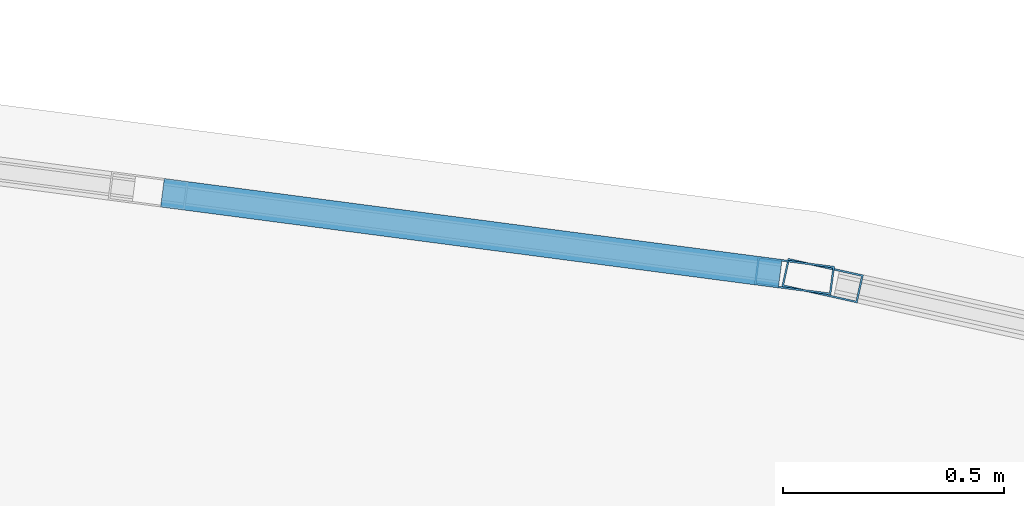
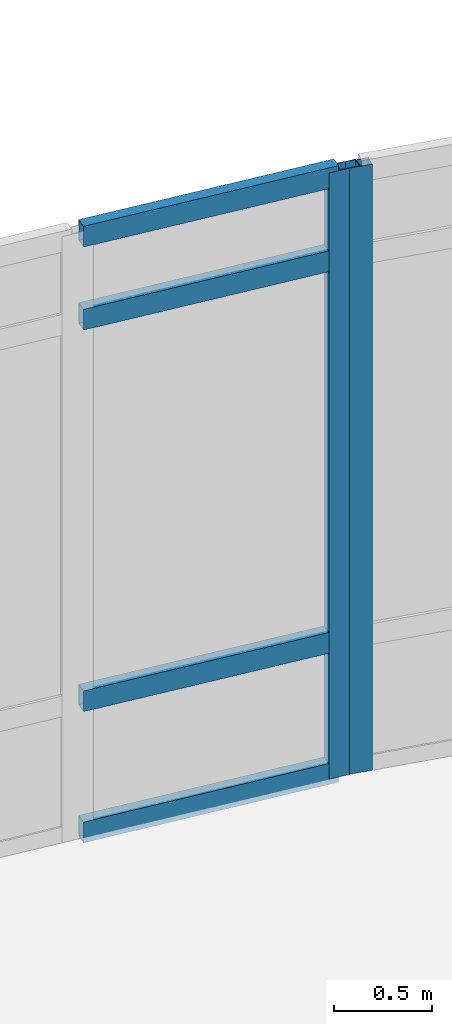
# One storey, part 57 of 146: 6 members, 2 elements without a shape of their own.
"""IFC4 building model written with IfcOpenShell, lengths in metres."""

from ifc_helpers import new_model, si_unit, direction, frame, origin, origin_2d, place, context, subcontext, project, spatial, hollow_rectangle, extrude, material, layer, layer_set, material_profile, profile_set, type_object, element, aggregate, save


model = new_model("IFC4")

# Units and contexts
model_context = context("Model", 3, precision=1e-05, world=origin(), true_north=direction((0.0, 1.0)))
body_context = subcontext(model_context, "Body", "Model", "MODEL_VIEW")
ifc_project = project(units=[si_unit("LENGTHUNIT", "METRE"), si_unit("AREAUNIT", "SQUARE_METRE"), si_unit("VOLUMEUNIT", "CUBIC_METRE"), si_unit("PLANEANGLEUNIT", "RADIAN"), si_unit("MASSUNIT", "GRAM", prefix="KILO")], contexts=[model_context])

# Site, building, storey
site_placement = place(None, origin())
site = spatial("IfcSite", under=ifc_project, at=site_placement, CompositionType="ELEMENT")
building_placement = place(site_placement, origin())
building = spatial("IfcBuilding", under=site, at=building_placement, Name="Valcora Specialist Clinic", CompositionType="ELEMENT")
storey_placement = place(building_placement, frame((0.0, 0.0, 9.52001953125)))
storey = spatial("IfcBuildingStorey", under=building, at=storey_placement, Name="L02", CompositionType="ELEMENT", Elevation=9.52001953125)

# Curtain wall, member
ifc_material = material(Name="Anodized Bronze Aluminium 6063-T6", Category="aluminium")
ifc_layer = layer(ifc_material, 0.175048828125)
ifc_layer_set = layer_set([ifc_layer], Name="Anodized Bronze Aluminium 6063-T6")
curtain_wall_type = type_object("IfcCurtainWallType", Name="TY-CW-ARC40", PredefinedType="NOTDEFINED", material=ifc_layer_set)
curtain_wall_1_placement = place(storey_placement, origin())
curtain_wall_1 = element("IfcCurtainWall", 1, at=curtain_wall_1_placement, inside=storey, type_object=curtain_wall_type, Name="Curtain wall CW-L02-207", PredefinedType="NOTDEFINED")
ifc_material_profile_1 = material_profile(ifc_material, hollow_rectangle(XDim=0.06494140625, YDim=0.175048828125, WallThickness=0.00390625, at=origin_2d()), Name="AL-MUL-65X175")
ifc_profile_set_1 = profile_set([ifc_material_profile_1], Name="Anodized Bronze Aluminium 6063-T6")
member_type_1 = type_object("IfcMemberType", Name="TY-CWM-65X175", PredefinedType="MULLION", material=ifc_profile_set_1)
member_1_placement = place(storey_placement, frame((95.94189453125, 25.08642578125, 0.0), z_axis=(0.0, 0.0, 1.0), x_axis=(0.129999492259, 0.991514060421, 0.0)))
member_1 = element("IfcMember", 2, at=member_1_placement, type_object=member_type_1, Name="CW-ARC-40 mullion 4", PredefinedType="MULLION", context=body_context, shape_type="SweptSolid", body=[
    extrude(hollow_rectangle(XDim=0.06494140625, YDim=0.175048828125, WallThickness=0.00390625, at=origin_2d()), origin(), (0.0, 0.0, 1.0), 3.780029296875),
])

curtain_wall_2_placement = place(storey_placement, origin())
curtain_wall_2 = element("IfcCurtainWall", 3, at=curtain_wall_2_placement, inside=storey, type_object=curtain_wall_type, Name="Curtain wall CW-L02-208", PredefinedType="NOTDEFINED")
member_2_placement = place(storey_placement, frame((96.005615234375, 25.074951171875, 0.0), z_axis=(0.0, 0.0, 1.0), x_axis=(0.216518052372, 0.976278614432, 0.0)))
member_2 = element("IfcMember", 4, at=member_2_placement, type_object=member_type_1, Name="CW-ARC-40 mullion 1", PredefinedType="MULLION", context=body_context, shape_type="SweptSolid", body=[
    extrude(hollow_rectangle(XDim=0.06494140625, YDim=0.175048828125, WallThickness=0.00390625, at=origin_2d()), origin(), (0.0, 0.0, 1.0), 3.780029296875),
])
aggregate(curtain_wall_2, [member_2])

# Member
ifc_material_profile_2 = material_profile(ifc_material, hollow_rectangle(XDim=0.06494140625, YDim=0.1298828125, WallThickness=0.00390625, at=origin_2d()), Name="AL-TRN-65X130")
ifc_profile_set_2 = profile_set([ifc_material_profile_2], Name="Anodized Bronze Aluminium 6063-T6")
member_type_2 = type_object("IfcMemberType", Name="TY-CWT-65X130", PredefinedType="USERDEFINED", material=ifc_profile_set_2)
member_3_placement = place(storey_placement, frame((94.510498046875, 25.27392578125, 0.032470703125), z_axis=(0.991523055248, -0.129930869742, 0.0), x_axis=(0.129930869742, 0.991523055248, 0.0)))
member_3 = element("IfcMember", 5, at=member_3_placement, type_object=member_type_2, Name="CW-ARC-40 transom 3.1", ObjectType="TRANSOM", PredefinedType="USERDEFINED", context=body_context, shape_type="SweptSolid", body=[
    extrude(hollow_rectangle(XDim=0.06494140625, YDim=0.1298828125, WallThickness=0.00390625, at=origin_2d()), origin(), (0.0, 0.0, 1.0), 1.4111328125),
])

member_4_placement = place(storey_placement, frame((94.510498046875, 25.27392578125, 0.85009765625), z_axis=(0.991523055248, -0.129930869742, 0.0), x_axis=(0.129930869742, 0.991523055248, 0.0)))
member_4 = element("IfcMember", 6, at=member_4_placement, type_object=member_type_2, Name="CW-ARC-40 transom 3.2", ObjectType="TRANSOM", PredefinedType="USERDEFINED", context=body_context, shape_type="SweptSolid", body=[
    extrude(hollow_rectangle(XDim=0.06494140625, YDim=0.1298828125, WallThickness=0.00390625, at=origin_2d()), origin(), (0.0, 0.0, 1.0), 1.4111328125),
])

member_5_placement = place(storey_placement, frame((94.510498046875, 25.27392578125, 3.22998046875), z_axis=(0.991523055248, -0.129930869742, 0.0), x_axis=(0.129930869742, 0.991523055248, 0.0)))
member_5 = element("IfcMember", 7, at=member_5_placement, type_object=member_type_2, Name="CW-ARC-40 transom 3.3", ObjectType="TRANSOM", PredefinedType="USERDEFINED", context=body_context, shape_type="SweptSolid", body=[
    extrude(hollow_rectangle(XDim=0.06494140625, YDim=0.1298828125, WallThickness=0.00390625, at=origin_2d()), origin(), (0.0, 0.0, 1.0), 1.4111328125),
])

member_6_placement = place(storey_placement, frame((94.510498046875, 25.27392578125, 3.74755859375), z_axis=(0.991523055248, -0.129930869742, 0.0), x_axis=(0.129930869742, 0.991523055248, 0.0)))
member_6 = element("IfcMember", 8, at=member_6_placement, type_object=member_type_2, Name="CW-ARC-40 transom 3.4", ObjectType="TRANSOM", PredefinedType="USERDEFINED", context=body_context, shape_type="SweptSolid", body=[
    extrude(hollow_rectangle(XDim=0.06494140625, YDim=0.1298828125, WallThickness=0.00390625, at=origin_2d()), origin(), (0.0, 0.0, 1.0), 1.4111328125),
])

aggregate(curtain_wall_1, [member_1, member_3, member_4, member_5, member_6])

save(model, "model.ifc")
